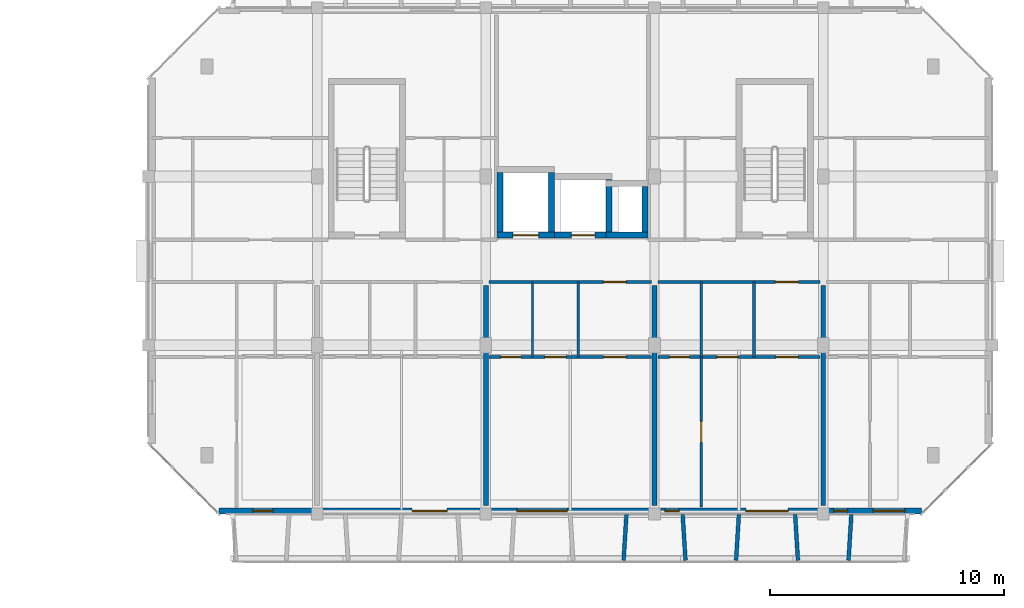
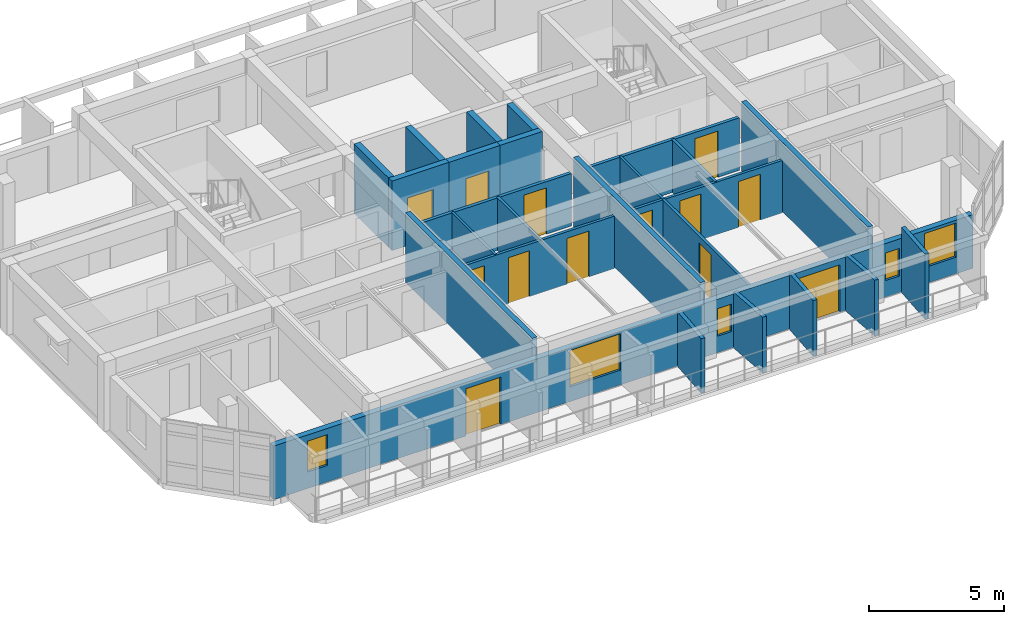
# One storey, part 25 of 46: 25 walls, 13 doors, 5 windows, 18 openings.
"""IFC4 building model written with IfcOpenShell, lengths in metres."""

from ifc_helpers import new_model, si_unit, direction, frame, frame_2d, origin, place, context, subcontext, project, spatial, rectangle, extrude, material, layer, layer_set, type_object, element, fill, save


model = new_model("IFC4")

# Units and contexts
model_context = context("Model", 3, precision=1e-05, world=origin(), true_north=direction((0.0, 1.0)))
body_context = subcontext(model_context, "Body", "Model", "MODEL_VIEW")
ifc_project = project(units=[si_unit("LENGTHUNIT", "METRE"), si_unit("AREAUNIT", "SQUARE_METRE"), si_unit("VOLUMEUNIT", "CUBIC_METRE"), si_unit("PLANEANGLEUNIT", "RADIAN"), si_unit("MASSUNIT", "GRAM", prefix="KILO")], contexts=[model_context])

# Site, building, storey
site_placement = place(None, origin())
site = spatial("IfcSite", under=ifc_project, at=site_placement, CompositionType="ELEMENT")
building_placement = place(site_placement, origin())
building = spatial("IfcBuilding", under=site, at=building_placement, Name="Ochrevale Crest", CompositionType="ELEMENT")
storey_placement = place(building_placement, frame((0.0, 0.0, 24.449951171875)))
storey = spatial("IfcBuildingStorey", under=building, at=storey_placement, Name="L07", CompositionType="ELEMENT", Elevation=24.449951171875)

# Wall, opening, door
ifc_material_1 = material(Name="Gypsum plasterboard", Category="gypsum")
ifc_layer_1 = layer(ifc_material_1, 0.139892578125)
ifc_layer_set_1 = layer_set([ifc_layer_1], Name="Gypsum plasterboard")
wall_type_1 = type_object("IfcWallType", Name="WL-COR-140", PredefinedType="PARTITIONING", material=ifc_layer_set_1)
wall_1_placement = place(storey_placement, frame((144.139892578125, 24.300048828125, 0.0), z_axis=(0.0, 0.0, 1.0), x_axis=(1.0, 0.0, 0.0)))
wall_1 = element("IfcWall", 1, at=wall_1_placement, inside=storey, type_object=wall_type_1, Name="Apartment C-L07-U3 corridor wall", PredefinedType="PARTITIONING", context=body_context, shape_type="SweptSolid", body=[
    extrude(rectangle(XDim=6.920166015625, YDim=0.139892578125, at=frame_2d((3.4599609375, 0.0))), origin(), (0.0, 0.0, 1.0), 2.380126953125),
])
opening_1_placement = place(wall_1_placement, frame((4.8701171875, 0.0, 0.0)))
opening_1 = element("IfcOpeningElement", 2, at=opening_1_placement, cuts=wall_1, Name="Opening FD01", PredefinedType="OPENING", context=body_context, shape_type="SweptSolid", body=[
    extrude(rectangle(XDim=0.97998046875, YDim=2.10009765625, at=frame_2d((0.489990234375, 1.050048828125))), frame((0.0, 0.080078125, 0.0), z_axis=(0.0, -1.0, 0.0), x_axis=(1.0, 0.0, 0.0)), (0.0, 0.0, 1.0), 0.159912109375),
])
ifc_material_2 = material(Name="Solid-core FSC hardwood", Category="wood")
door_type_1 = type_object("IfcDoorType", Name="DR-APT-950", OperationType="NOTDEFINED", PredefinedType="DOOR", material=ifc_material_2)
door_1_placement = place(opening_1_placement, origin())
door_1 = element("IfcDoor", 3, at=door_1_placement, inside=storey, type_object=door_type_1, Name="Apartment C-L07-U3 entrance door", OperationType="SINGLE_SWING_LEFT", OverallHeight=2.10009765625, OverallWidth=0.97998046875, PredefinedType="DOOR", context=body_context, shape_type="SweptSolid", body=[
    extrude(rectangle(XDim=0.97998046875, YDim=2.10009765625, at=frame_2d((0.489990234375, 1.050048828125))), frame((0.0, 0.02490234375, 0.0), z_axis=(0.0, -1.0, 0.0), x_axis=(1.0, 0.0, 0.0)), (0.0, 0.0, 1.0), 0.050048828125),
])
fill(opening_1, door_1)

wall_2_placement = place(storey_placement, frame((151.340087890625, 24.300048828125, 0.0), z_axis=(0.0, 0.0, 1.0), x_axis=(1.0, 0.0, 0.0)))
wall_2 = element("IfcWall", 4, at=wall_2_placement, inside=storey, type_object=wall_type_1, Name="Apartment C-L07-U4 corridor wall", PredefinedType="PARTITIONING", context=body_context, shape_type="SweptSolid", body=[
    extrude(rectangle(XDim=6.919921875, YDim=0.139892578125, at=frame_2d((3.4599609375, 0.0))), origin(), (0.0, 0.0, 1.0), 2.380126953125),
])
opening_2_placement = place(wall_2_placement, frame((5.02001953125, 0.0, 0.0)))
opening_2 = element("IfcOpeningElement", 5, at=opening_2_placement, cuts=wall_2, Name="Opening FD01", PredefinedType="OPENING", context=body_context, shape_type="SweptSolid", body=[
    extrude(rectangle(XDim=0.97998046875, YDim=2.10009765625, at=frame_2d((0.489990234375, 1.050048828125))), frame((0.0, 0.080078125, 0.0), z_axis=(0.0, -1.0, 0.0), x_axis=(1.0, 0.0, 0.0)), (0.0, 0.0, 1.0), 0.159912109375),
])
door_2_placement = place(opening_2_placement, origin())
door_2 = element("IfcDoor", 6, at=door_2_placement, inside=storey, type_object=door_type_1, Name="Apartment C-L07-U4 entrance door", OperationType="SINGLE_SWING_LEFT", OverallHeight=2.10009765625, OverallWidth=0.97998046875, PredefinedType="DOOR", context=body_context, shape_type="SweptSolid", body=[
    extrude(rectangle(XDim=0.97998046875, YDim=2.10009765625, at=frame_2d((0.489990234375, 1.050048828125))), frame((0.0, 0.02490234375, 0.0), z_axis=(0.0, -1.0, 0.0), x_axis=(1.0, 0.0, 0.0)), (0.0, 0.0, 1.0), 0.050048828125),
])
fill(opening_2, door_2)

ifc_material_3 = material(Name="Precast concrete C50/60", Category="concrete")
ifc_layer_2 = layer(ifc_material_3, 0.2548828125)
ifc_layer_set_2 = layer_set([ifc_layer_2], Name="Precast concrete C50/60")
wall_type_2 = type_object("IfcWallType", Name="WL-CORE-255", PredefinedType="SHEAR", material=ifc_layer_set_2)
wall_3_placement = place(storey_placement, frame((144.472412109375, 26.300048828125, 0.0), z_axis=(0.0, 0.0, 1.0), x_axis=(1.0, 0.0, 0.0)))
wall_3 = element("IfcWall", 7, at=wall_3_placement, inside=storey, type_object=wall_type_2, Name="Block C L07 Lift 1 precast shaft shear wall S", PredefinedType="SHEAR", context=body_context, shape_type="SweptSolid", body=[
    extrude(rectangle(XDim=2.455078125, YDim=0.2548828125, at=frame_2d((1.2275390625, 0.0))), origin(), (0.0, 0.0, 1.0), 3.150146484375),
])
opening_3_placement = place(wall_3_placement, frame((0.677490234375, 0.0, 0.0)))
opening_3 = element("IfcOpeningElement", 8, at=opening_3_placement, cuts=wall_3, Name="Opening LD01", PredefinedType="OPENING", context=body_context, shape_type="SweptSolid", body=[
    extrude(rectangle(XDim=1.10009765625, YDim=2.14990234375, at=frame_2d((0.550048828125, 1.074951171875))), frame((0.0, 0.137451171875, 0.0), z_axis=(0.0, -1.0, 0.0), x_axis=(1.0, 0.0, 0.0)), (0.0, 0.0, 1.0), 0.27490234375),
])
door_type_2 = type_object("IfcDoorType", Name="DR-LIFT-1100", OperationType="NOTDEFINED", PredefinedType="DOOR", material=ifc_material_2)
door_3_placement = place(opening_3_placement, origin())
door_3 = element("IfcDoor", 9, at=door_3_placement, inside=storey, type_object=door_type_2, Name="Lift LF-C1 L07 sliding landing door", OperationType="SLIDING_TO_LEFT", OverallHeight=2.14990234375, OverallWidth=1.10009765625, PredefinedType="DOOR", context=body_context, shape_type="SweptSolid", body=[
    extrude(rectangle(XDim=1.10009765625, YDim=2.14990234375, at=frame_2d((0.550048828125, 1.074951171875))), frame((0.0, 0.02490234375, 0.0), z_axis=(0.0, -1.0, 0.0), x_axis=(1.0, 0.0, 0.0)), (0.0, 0.0, 1.0), 0.050048828125),
])
fill(opening_3, door_3)

# Walls
for number, where, z_axis, x_axis, name in (
    (10, (144.60009765625, 26.427490234375, 0.0), (0.0, 0.0, 1.0), (0.0, 1.0, 0.0), "Block C L07 Lift 1 precast shaft shear wall W"),
    (11, (146.800048828125, 26.427490234375, 0.0), (0.0, 0.0, 1.0), (0.0, 1.0, 0.0), "Block C L07 Lift 1 precast shaft shear wall E"),
):
    element("IfcWall", number, at=place(storey_placement, frame(where, z_axis=z_axis, x_axis=x_axis)), inside=storey, type_object=wall_type_2, Name=name, PredefinedType="SHEAR", context=body_context, shape_type="SweptSolid", body=[
        extrude(rectangle(XDim=2.544921875, YDim=0.2548828125, at=frame_2d((1.2724609375, 0.0))), origin(), (0.0, 0.0, 1.0), 3.150146484375),
    ])

# Wall, opening, door
wall_4_placement = place(storey_placement, frame((146.922607421875, 26.300048828125, 0.0), z_axis=(0.0, 0.0, 1.0), x_axis=(1.0, 0.0, 0.0)))
wall_4 = element("IfcWall", 12, at=wall_4_placement, inside=storey, type_object=wall_type_2, Name="Block C L07 Lift 2 precast shaft shear wall S", PredefinedType="SHEAR", context=body_context, shape_type="SweptSolid", body=[
    extrude(rectangle(XDim=2.454833984375, YDim=0.2548828125, at=frame_2d((1.2275390625, 0.0))), origin(), (0.0, 0.0, 1.0), 3.150146484375),
])
opening_4_placement = place(wall_4_placement, frame((0.7275390625, 0.0, 0.0)))
opening_4 = element("IfcOpeningElement", 13, at=opening_4_placement, cuts=wall_4, Name="Opening LD02", PredefinedType="OPENING", context=body_context, shape_type="SweptSolid", body=[
    extrude(rectangle(XDim=1.0, YDim=2.14990234375, at=frame_2d((0.5, 1.074951171875))), frame((0.0, 0.137451171875, 0.0), z_axis=(0.0, -1.0, 0.0), x_axis=(1.0, 0.0, 0.0)), (0.0, 0.0, 1.0), 0.27490234375),
])
door_type_3 = type_object("IfcDoorType", Name="DR-LIFT-1000", OperationType="NOTDEFINED", PredefinedType="DOOR", material=ifc_material_2)
door_4_placement = place(opening_4_placement, origin())
door_4 = element("IfcDoor", 14, at=door_4_placement, inside=storey, type_object=door_type_3, Name="Lift LP-C2 L07 sliding landing door", OperationType="SLIDING_TO_RIGHT", OverallHeight=2.14990234375, OverallWidth=1.0, PredefinedType="DOOR", context=body_context, shape_type="SweptSolid", body=[
    extrude(rectangle(XDim=1.0, YDim=2.14990234375, at=frame_2d((0.5, 1.074951171875))), frame((0.0, 0.02490234375, 0.0), z_axis=(0.0, -1.0, 0.0), x_axis=(1.0, 0.0, 0.0)), (0.0, 0.0, 1.0), 0.050048828125),
])
fill(opening_4, door_4)

# Walls
wall_5_placement = place(storey_placement, frame((149.25, 26.427490234375, 0.0), z_axis=(0.0, 0.0, 1.0), x_axis=(0.0, 1.0, 0.0)))
element("IfcWall", 15, at=wall_5_placement, inside=storey, type_object=wall_type_2, Name="Block C L07 Lift 2 precast shaft shear wall E", PredefinedType="SHEAR", context=body_context, shape_type="SweptSolid", body=[
    extrude(rectangle(XDim=2.2451171875, YDim=0.2548828125, at=frame_2d((1.12255859375, 0.0))), origin(), (0.0, 0.0, 1.0), 3.150146484375),
])
wall_6_placement = place(storey_placement, frame((149.12255859375, 26.300048828125, 0.0), z_axis=(0.0, 0.0, 1.0), x_axis=(1.0, 0.0, 0.0)))
element("IfcWall", 16, at=wall_6_placement, inside=storey, type_object=wall_type_2, Name="Block C L07 services riser shaft core wall S", PredefinedType="SHEAR", context=body_context, shape_type="SweptSolid", body=[
    extrude(rectangle(XDim=1.804931640625, YDim=0.2548828125, at=frame_2d((0.90234375, 0.0))), origin(), (0.0, 0.0, 1.0), 3.150146484375),
])
wall_7_placement = place(storey_placement, frame((150.800048828125, 26.427490234375, 0.0), z_axis=(0.0, 0.0, 1.0), x_axis=(0.0, 1.0, 0.0)))
element("IfcWall", 17, at=wall_7_placement, inside=storey, type_object=wall_type_2, Name="Block C L07 services riser shaft core wall E", PredefinedType="SHEAR", context=body_context, shape_type="SweptSolid", body=[
    extrude(rectangle(XDim=1.945068359375, YDim=0.2548828125, at=frame_2d((0.97265625, 0.0))), origin(), (0.0, 0.0, 1.0), 3.150146484375),
])

# Wall, openings, doors, windows
ifc_material_4 = material(Name="Precast concrete C40/50", Category="concrete")
ifc_layer_3 = layer(ifc_material_4, 0.25)
ifc_layer_set_3 = layer_set([ifc_layer_3], Name="Precast concrete C40/50")
wall_type_3 = type_object("IfcWallType", Name="WL-EXT-GOLD-250", PredefinedType="SOLIDWALL", material=ifc_layer_set_3)
wall_8_placement = place(storey_placement, frame((132.60009765625, 14.52490234375, 0.0), z_axis=(0.0, 0.0, 1.0), x_axis=(1.0, 0.0, 0.0)))
wall_8 = element("IfcWall", 18, at=wall_8_placement, inside=storey, type_object=wall_type_3, Name="Block C L07 external facade wall E1", PredefinedType="SOLIDWALL", context=body_context, shape_type="SweptSolid", body=[
    extrude(rectangle(XDim=30.0, YDim=0.25, at=frame_2d((15.0, 0.0))), origin(), (0.0, 0.0, 1.0), 2.429931640625),
])
opening_5_placement = place(wall_8_placement, frame((9.75, 0.0, 0.0), z_axis=(0.0, 0.0, 1.0), x_axis=(-1.0, 0.0, 0.0)))
opening_5 = element("IfcOpeningElement", 19, at=opening_5_placement, cuts=wall_8, Name="Opening BD01", PredefinedType="OPENING", context=body_context, shape_type="SweptSolid", body=[
    extrude(rectangle(XDim=1.5, YDim=2.14990234375, at=frame_2d((0.75, 1.074951171875))), frame((0.0, 0.135009765625, 0.0), z_axis=(0.0, -1.0, 0.0), x_axis=(1.0, 0.0, 0.0)), (0.0, 0.0, 1.0), 0.27001953125),
])
opening_6_placement = place(wall_8_placement, frame((24.300048828125, 0.0, 0.0), z_axis=(0.0, 0.0, 1.0), x_axis=(-1.0, 0.0, 0.0)))
opening_6 = element("IfcOpeningElement", 20, at=opening_6_placement, cuts=wall_8, Name="Opening BD03", PredefinedType="OPENING", context=body_context, shape_type="SweptSolid", body=[
    extrude(rectangle(XDim=1.800048828125, YDim=2.14990234375, at=frame_2d((0.89990234375, 1.074951171875))), frame((0.0, 0.135009765625, 0.0), z_axis=(0.0, -1.0, 0.0), x_axis=(1.0, 0.0, 0.0)), (0.0, 0.0, 1.0), 0.27001953125),
])
opening_7_placement = place(wall_8_placement, frame((1.4599609375, 0.0, 0.75)))
opening_7 = element("IfcOpeningElement", 21, at=opening_7_placement, cuts=wall_8, Name="Opening W03", PredefinedType="OPENING", context=body_context, shape_type="SweptSolid", body=[
    extrude(rectangle(XDim=0.85009765625, YDim=1.39990234375, at=frame_2d((0.425048828125, 0.699951171875))), frame((0.0, 0.135009765625, 0.0), z_axis=(0.0, -1.0, 0.0), x_axis=(1.0, 0.0, 0.0)), (0.0, 0.0, 1.0), 0.27001953125),
])
opening_8_placement = place(wall_8_placement, frame((12.72509765625, 0.0, 0.669921875)))
opening_8 = element("IfcOpeningElement", 22, at=opening_8_placement, cuts=wall_8, Name="Opening W13", PredefinedType="OPENING", context=body_context, shape_type="SweptSolid", body=[
    extrude(rectangle(XDim=2.14990234375, YDim=1.64990234375, at=frame_2d((1.074951171875, 0.824951171875))), frame((0.0, 0.135009765625, 0.0), z_axis=(0.0, -1.0, 0.0), x_axis=(1.0, 0.0, 0.0)), (0.0, 0.0, 1.0), 0.27001953125),
])
opening_9_placement = place(wall_8_placement, frame((19.044921875, 0.0, 0.75)))
opening_9 = element("IfcOpeningElement", 23, at=opening_9_placement, cuts=wall_8, Name="Opening W01", PredefinedType="OPENING", context=body_context, shape_type="SweptSolid", body=[
    extrude(rectangle(XDim=0.60009765625, YDim=1.25, at=frame_2d((0.300048828125, 0.625))), frame((0.0, 0.135009765625, 0.0), z_axis=(0.0, -1.0, 0.0), x_axis=(1.0, 0.0, 0.0)), (0.0, 0.0, 1.0), 0.27001953125),
])
opening_10_placement = place(wall_8_placement, frame((26.2451171875, 0.0, 0.75)))
opening_10 = element("IfcOpeningElement", 24, at=opening_10_placement, cuts=wall_8, Name="Opening W01", PredefinedType="OPENING", context=body_context, shape_type="SweptSolid", body=[
    extrude(rectangle(XDim=0.60009765625, YDim=1.25, at=frame_2d((0.300048828125, 0.625))), frame((0.0, 0.135009765625, 0.0), z_axis=(0.0, -1.0, 0.0), x_axis=(1.0, 0.0, 0.0)), (0.0, 0.0, 1.0), 0.27001953125),
])
opening_11_placement = place(wall_8_placement, frame((27.929931640625, 0.0, 0.75)))
opening_11 = element("IfcOpeningElement", 25, at=opening_11_placement, cuts=wall_8, Name="Opening W07", PredefinedType="OPENING", context=body_context, shape_type="SweptSolid", body=[
    extrude(rectangle(XDim=1.340087890625, YDim=1.550048828125, at=frame_2d((0.669921875, 0.77490234375))), frame((0.0, 0.135009765625, 0.0), z_axis=(0.0, -1.0, 0.0), x_axis=(1.0, 0.0, 0.0)), (0.0, 0.0, 1.0), 0.27001953125),
])
ifc_material_5 = material(Name="Anodised aluminium 6063-T5 and toughened glass", Category="aluminium")
door_type_4 = type_object("IfcDoorType", Name="DR-BAL-1500", OperationType="NOTDEFINED", PredefinedType="DOOR", material=ifc_material_5)
door_5_placement = place(opening_5_placement, origin())
door_5 = element("IfcDoor", 26, at=door_5_placement, inside=storey, type_object=door_type_4, Name="Block C L07 balcony door S2", OperationType="SINGLE_SWING_RIGHT", OverallHeight=2.14990234375, OverallWidth=1.5, PredefinedType="DOOR", context=body_context, shape_type="SweptSolid", body=[
    extrude(rectangle(XDim=1.5, YDim=2.14990234375, at=frame_2d((0.75, 1.074951171875))), frame((0.0, 0.02490234375, 0.0), z_axis=(0.0, -1.0, 0.0), x_axis=(1.0, 0.0, 0.0)), (0.0, 0.0, 1.0), 0.050048828125),
])
fill(opening_5, door_5)
door_type_5 = type_object("IfcDoorType", Name="DR-BAL-1800", OperationType="NOTDEFINED", PredefinedType="DOOR", material=ifc_material_5)
door_6_placement = place(opening_6_placement, origin())
door_6 = element("IfcDoor", 27, at=door_6_placement, inside=storey, type_object=door_type_5, Name="Block C L07 balcony door S4", OperationType="SINGLE_SWING_LEFT", OverallHeight=2.14990234375, OverallWidth=1.800048828125, PredefinedType="DOOR", context=body_context, shape_type="SweptSolid", body=[
    extrude(rectangle(XDim=1.800048828125, YDim=2.14990234375, at=frame_2d((0.89990234375, 1.074951171875))), frame((0.0, 0.02490234375, 0.0), z_axis=(0.0, -1.0, 0.0), x_axis=(1.0, 0.0, 0.0)), (0.0, 0.0, 1.0), 0.050048828125),
])
fill(opening_6, door_6)
ifc_material_6 = material(Name="Anodised aluminium 6063-T5 and low-E double glazing", Category="aluminium")
window_type_1 = type_object("IfcWindowType", Name="WIN-W01", PartitioningType="SINGLE_PANEL", PredefinedType="WINDOW", material=ifc_material_6)
window_1_placement = place(opening_9_placement, origin())
window_1 = element("IfcWindow", 28, at=window_1_placement, inside=storey, type_object=window_type_1, Name="Block C L07 Apartment C-L07-U4 Double Bedroom window", OverallHeight=1.25, OverallWidth=0.60009765625, PartitioningType="SINGLE_PANEL", PredefinedType="WINDOW", context=body_context, shape_type="SweptSolid", body=[
    extrude(rectangle(XDim=0.60009765625, YDim=1.25, at=frame_2d((0.300048828125, 0.625))), frame((0.0, 0.030029296875, 0.0), z_axis=(0.0, -1.0, 0.0), x_axis=(1.0, 0.0, 0.0)), (0.0, 0.0, 1.0), 0.06005859375),
])
fill(opening_9, window_1)
window_2_placement = place(opening_10_placement, origin())
window_2 = element("IfcWindow", 29, at=window_2_placement, inside=storey, type_object=window_type_1, Name="Block C L07 Apartment C-L07-U5 Master Bedroom window", OverallHeight=1.25, OverallWidth=0.60009765625, PartitioningType="SINGLE_PANEL", PredefinedType="WINDOW", context=body_context, shape_type="SweptSolid", body=[
    extrude(rectangle(XDim=0.60009765625, YDim=1.25, at=frame_2d((0.300048828125, 0.625))), frame((0.0, 0.030029296875, 0.0), z_axis=(0.0, -1.0, 0.0), x_axis=(1.0, 0.0, 0.0)), (0.0, 0.0, 1.0), 0.06005859375),
])
fill(opening_10, window_2)
window_type_2 = type_object("IfcWindowType", Name="WIN-W03", PartitioningType="SINGLE_PANEL", PredefinedType="WINDOW", material=ifc_material_6)
window_3_placement = place(opening_7_placement, origin())
window_3 = element("IfcWindow", 30, at=window_3_placement, inside=storey, type_object=window_type_2, Name="Block C L07 Apartment C-L07-U1 One Bedroom Living Room window", OverallHeight=1.39990234375, OverallWidth=0.85009765625, PartitioningType="SINGLE_PANEL", PredefinedType="WINDOW", context=body_context, shape_type="SweptSolid", body=[
    extrude(rectangle(XDim=0.85009765625, YDim=1.39990234375, at=frame_2d((0.425048828125, 0.699951171875))), frame((0.0, 0.030029296875, 0.0), z_axis=(0.0, -1.0, 0.0), x_axis=(1.0, 0.0, 0.0)), (0.0, 0.0, 1.0), 0.06005859375),
])
fill(opening_7, window_3)
window_type_3 = type_object("IfcWindowType", Name="WIN-W07", PartitioningType="SINGLE_PANEL", PredefinedType="WINDOW", material=ifc_material_6)
window_4_placement = place(opening_11_placement, origin())
window_4 = element("IfcWindow", 31, at=window_4_placement, inside=storey, type_object=window_type_3, Name="Block C L07 Apartment C-L07-U5 One Bedroom Living Room window", OverallHeight=1.550048828125, OverallWidth=1.340087890625, PartitioningType="SINGLE_PANEL", PredefinedType="WINDOW", context=body_context, shape_type="SweptSolid", body=[
    extrude(rectangle(XDim=1.340087890625, YDim=1.550048828125, at=frame_2d((0.669921875, 0.77490234375))), frame((0.0, 0.030029296875, 0.0), z_axis=(0.0, -1.0, 0.0), x_axis=(1.0, 0.0, 0.0)), (0.0, 0.0, 1.0), 0.06005859375),
])
fill(opening_11, window_4)
window_type_4 = type_object("IfcWindowType", Name="WIN-W13", PartitioningType="SINGLE_PANEL", PredefinedType="WINDOW", material=ifc_material_6)
window_5_placement = place(opening_8_placement, origin())
window_5 = element("IfcWindow", 32, at=window_5_placement, inside=storey, type_object=window_type_4, Name="Block C L07 Studio C-L07-U3 Living Room window", OverallHeight=1.64990234375, OverallWidth=2.14990234375, PartitioningType="SINGLE_PANEL", PredefinedType="WINDOW", context=body_context, shape_type="SweptSolid", body=[
    extrude(rectangle(XDim=2.14990234375, YDim=1.64990234375, at=frame_2d((1.074951171875, 0.824951171875))), frame((0.0, 0.030029296875, 0.0), z_axis=(0.0, -1.0, 0.0), x_axis=(1.0, 0.0, 0.0)), (0.0, 0.0, 1.0), 0.06005859375),
])
fill(opening_8, window_5)

# Walls
ifc_layer_4 = layer(ifc_material_4, 0.1650390625)
ifc_layer_set_4 = layer_set([ifc_layer_4], Name="Precast concrete C40/50")
wall_type_4 = type_object("IfcWallType", Name="WL-HC-CHEEK-165", PredefinedType="ELEMENTEDWALL", material=ifc_layer_set_4)
wall_9_placement = place(storey_placement, frame((150.0, 14.3798828125, 0.0), z_axis=(0.0, 0.0, 1.0), x_axis=(-0.061170732449, -0.998127317276, 0.0)))
element("IfcWall", 33, at=wall_9_placement, inside=storey, type_object=wall_type_4, Name="Block C L07 S precast honeycomb cheek 8", PredefinedType="ELEMENTEDWALL", context=body_context, shape_type="SweptSolid", body=[
    extrude(rectangle(XDim=1.963623046875, YDim=0.1650390625, at=frame_2d((0.98193359375, 0.0))), origin(), (0.0, 0.0, 1.0), 2.47998046875),
])
for number, where, z_axis, x_axis, name in (
    (34, (152.39990234375, 14.3798828125, 0.0), (0.0, 0.0, 1.0), (0.061170732449, -0.998127317276, 0.0), "Block C L07 S precast honeycomb cheek 9"),
    (35, (154.800048828125, 14.3798828125, 0.0), (0.0, 0.0, 1.0), (-0.061170732449, -0.998127317276, 0.0), "Block C L07 S precast honeycomb cheek 10"),
    (36, (157.199951171875, 14.3798828125, 0.0), (0.0, 0.0, 1.0), (0.061170732449, -0.998127317276, 0.0), "Block C L07 S precast honeycomb cheek 11"),
):
    element("IfcWall", number, at=place(storey_placement, frame(where, z_axis=z_axis, x_axis=x_axis)), inside=storey, type_object=wall_type_4, Name=name, PredefinedType="ELEMENTEDWALL", context=body_context, shape_type="SweptSolid", body=[
        extrude(rectangle(XDim=1.963623046875, YDim=0.1650390625, at=frame_2d((0.98193359375, 0.0))), origin(), (0.0, 0.0, 1.0), 2.530029296875),
    ])
wall_10_placement = place(storey_placement, frame((159.60009765625, 14.3798828125, 0.0), z_axis=(0.0, 0.0, 1.0), x_axis=(-0.061170732449, -0.998127317276, 0.0)))
element("IfcWall", 37, at=wall_10_placement, inside=storey, type_object=wall_type_4, Name="Block C L07 S precast honeycomb cheek 12", PredefinedType="ELEMENTEDWALL", context=body_context, shape_type="SweptSolid", body=[
    extrude(rectangle(XDim=1.963623046875, YDim=0.1650390625, at=frame_2d((0.98193359375, 0.0))), origin(), (0.0, 0.0, 1.0), 2.949951171875),
])
ifc_layer_5 = layer(ifc_material_1, 0.1201171875)
ifc_layer_set_5 = layer_set([ifc_layer_5], Name="Gypsum plasterboard")
wall_type_5 = type_object("IfcWallType", Name="WL-PART-120", PredefinedType="PARTITIONING", material=ifc_layer_set_5)
wall_11_placement = place(storey_placement, frame((147.93994140625, 21.10009765625, 0.0), z_axis=(0.0, 0.0, 1.0), x_axis=(0.0, 1.0, 0.0)))
element("IfcWall", 38, at=wall_11_placement, inside=storey, type_object=wall_type_5, Name="Apartment C-L07-U3 kitchen-foyer wall", PredefinedType="PARTITIONING", context=body_context, shape_type="SweptSolid", body=[
    extrude(rectangle(XDim=3.199951171875, YDim=0.1201171875, at=frame_2d((1.60009765625, 0.0))), origin(), (0.0, 0.0, 1.0), 2.380126953125),
])

# Wall, openings, doors
wall_12_placement = place(storey_placement, frame((144.139892578125, 21.10009765625, 0.0), z_axis=(0.0, 0.0, 1.0), x_axis=(1.0, 0.0, 0.0)))
wall_12 = element("IfcWall", 39, at=wall_12_placement, inside=storey, type_object=wall_type_5, Name="Apartment C-L07-U3 central partition", PredefinedType="PARTITIONING", context=body_context, shape_type="SweptSolid", body=[
    extrude(rectangle(XDim=6.920166015625, YDim=0.1201171875, at=frame_2d((3.4599609375, 0.0))), origin(), (0.0, 0.0, 1.0), 2.380126953125),
])
opening_12_placement = place(wall_12_placement, frame((1.35009765625, 0.0, 0.0), z_axis=(0.0, 0.0, 1.0), x_axis=(-1.0, 0.0, 0.0)))
opening_12 = element("IfcOpeningElement", 40, at=opening_12_placement, cuts=wall_12, Name="Opening ID01", PredefinedType="OPENING", context=body_context, shape_type="SweptSolid", body=[
    extrude(rectangle(XDim=0.85009765625, YDim=2.080078125, at=frame_2d((0.425048828125, 1.0400390625))), frame((0.0, 0.070068359375, 0.0), z_axis=(0.0, -1.0, 0.0), x_axis=(1.0, 0.0, 0.0)), (0.0, 0.0, 1.0), 0.14013671875),
])
opening_13_placement = place(wall_12_placement, frame((2.375, 0.0, 0.0)))
opening_13 = element("IfcOpeningElement", 41, at=opening_13_placement, cuts=wall_12, Name="Opening ID02", PredefinedType="OPENING", context=body_context, shape_type="SweptSolid", body=[
    extrude(rectangle(XDim=0.89990234375, YDim=2.080078125, at=frame_2d((0.449951171875, 1.0400390625))), frame((0.0, 0.070068359375, 0.0), z_axis=(0.0, -1.0, 0.0), x_axis=(1.0, 0.0, 0.0)), (0.0, 0.0, 1.0), 0.14013671875),
])
opening_14_placement = place(wall_12_placement, frame((5.8349609375, 0.0, 0.0), z_axis=(0.0, 0.0, 1.0), x_axis=(-1.0, 0.0, 0.0)))
opening_14 = element("IfcOpeningElement", 42, at=opening_14_placement, cuts=wall_12, Name="Opening ID06", PredefinedType="OPENING", context=body_context, shape_type="SweptSolid", body=[
    extrude(rectangle(XDim=0.949951171875, YDim=2.080078125, at=frame_2d((0.47509765625, 1.0400390625))), frame((0.0, 0.070068359375, 0.0), z_axis=(0.0, -1.0, 0.0), x_axis=(1.0, 0.0, 0.0)), (0.0, 0.0, 1.0), 0.14013671875),
])
door_type_6 = type_object("IfcDoorType", Name="DR-INT-900", OperationType="NOTDEFINED", PredefinedType="DOOR", material=ifc_material_2)
door_7_placement = place(opening_13_placement, origin())
door_7 = element("IfcDoor", 43, at=door_7_placement, inside=storey, type_object=door_type_6, Name="Apartment C-L07-U3 Kitchen door", OperationType="SINGLE_SWING_LEFT", OverallHeight=2.080078125, OverallWidth=0.89990234375, PredefinedType="DOOR", context=body_context, shape_type="SweptSolid", body=[
    extrude(rectangle(XDim=0.89990234375, YDim=2.080078125, at=frame_2d((0.449951171875, 1.0400390625))), frame((0.0, 0.02490234375, 0.0), z_axis=(0.0, -1.0, 0.0), x_axis=(1.0, 0.0, 0.0)), (0.0, 0.0, 1.0), 0.050048828125),
])
fill(opening_13, door_7)
door_type_7 = type_object("IfcDoorType", Name="DR-INT-950", OperationType="NOTDEFINED", PredefinedType="DOOR", material=ifc_material_2)
door_8_placement = place(opening_14_placement, origin())
door_8 = element("IfcDoor", 44, at=door_8_placement, inside=storey, type_object=door_type_7, Name="Apartment C-L07-U3 Living Foyer door", OperationType="SINGLE_SWING_RIGHT", OverallHeight=2.080078125, OverallWidth=0.949951171875, PredefinedType="DOOR", context=body_context, shape_type="SweptSolid", body=[
    extrude(rectangle(XDim=0.949951171875, YDim=2.080078125, at=frame_2d((0.47509765625, 1.0400390625))), frame((0.0, 0.02490234375, 0.0), z_axis=(0.0, -1.0, 0.0), x_axis=(1.0, 0.0, 0.0)), (0.0, 0.0, 1.0), 0.050048828125),
])
fill(opening_14, door_8)
door_type_8 = type_object("IfcDoorType", Name="DR-WC-850", OperationType="NOTDEFINED", PredefinedType="DOOR", material=ifc_material_2)
door_9_placement = place(opening_12_placement, origin())
door_9 = element("IfcDoor", 45, at=door_9_placement, inside=storey, type_object=door_type_8, Name="Apartment C-L07-U3 Bathroom door", OperationType="SINGLE_SWING_RIGHT", OverallHeight=2.080078125, OverallWidth=0.85009765625, PredefinedType="DOOR", context=body_context, shape_type="SweptSolid", body=[
    extrude(rectangle(XDim=0.85009765625, YDim=2.080078125, at=frame_2d((0.425048828125, 1.0400390625))), frame((0.0, 0.02490234375, 0.0), z_axis=(0.0, -1.0, 0.0), x_axis=(1.0, 0.0, 0.0)), (0.0, 0.0, 1.0), 0.050048828125),
])
fill(opening_12, door_9)

# Wall
wall_13_placement = place(storey_placement, frame((155.43994140625, 21.10009765625, 0.0), z_axis=(0.0, 0.0, 1.0), x_axis=(0.0, 1.0, 0.0)))
element("IfcWall", 46, at=wall_13_placement, inside=storey, type_object=wall_type_5, Name="Apartment C-L07-U4 kitchen-foyer wall", PredefinedType="PARTITIONING", context=body_context, shape_type="SweptSolid", body=[
    extrude(rectangle(XDim=3.199951171875, YDim=0.1201171875, at=frame_2d((1.60009765625, 0.0))), origin(), (0.0, 0.0, 1.0), 2.380126953125),
])

# Wall, openings, doors
wall_14_placement = place(storey_placement, frame((151.340087890625, 21.10009765625, 0.0), z_axis=(0.0, 0.0, 1.0), x_axis=(1.0, 0.0, 0.0)))
wall_14 = element("IfcWall", 47, at=wall_14_placement, inside=storey, type_object=wall_type_5, Name="Apartment C-L07-U4 central partition", PredefinedType="PARTITIONING", context=body_context, shape_type="SweptSolid", body=[
    extrude(rectangle(XDim=6.919921875, YDim=0.1201171875, at=frame_2d((3.4599609375, 0.0))), origin(), (0.0, 0.0, 1.0), 2.380126953125),
])
opening_15_placement = place(wall_14_placement, frame((1.35009765625, 0.0, 0.0), z_axis=(0.0, 0.0, 1.0), x_axis=(-1.0, 0.0, 0.0)))
opening_15 = element("IfcOpeningElement", 48, at=opening_15_placement, cuts=wall_14, Name="Opening ID01", PredefinedType="OPENING", context=body_context, shape_type="SweptSolid", body=[
    extrude(rectangle(XDim=0.85009765625, YDim=2.080078125, at=frame_2d((0.425048828125, 1.0400390625))), frame((0.0, 0.070068359375, 0.0), z_axis=(0.0, -1.0, 0.0), x_axis=(1.0, 0.0, 0.0)), (0.0, 0.0, 1.0), 0.14013671875),
])
opening_16_placement = place(wall_14_placement, frame((2.52490234375, 0.0, 0.0)))
opening_16 = element("IfcOpeningElement", 49, at=opening_16_placement, cuts=wall_14, Name="Opening ID02", PredefinedType="OPENING", context=body_context, shape_type="SweptSolid", body=[
    extrude(rectangle(XDim=0.89990234375, YDim=2.080078125, at=frame_2d((0.449951171875, 1.0400390625))), frame((0.0, 0.070068359375, 0.0), z_axis=(0.0, -1.0, 0.0), x_axis=(1.0, 0.0, 0.0)), (0.0, 0.0, 1.0), 0.14013671875),
])
opening_17_placement = place(wall_14_placement, frame((5.98486328125, 0.0, 0.0), z_axis=(0.0, 0.0, 1.0), x_axis=(-1.0, 0.0, 0.0)))
opening_17 = element("IfcOpeningElement", 50, at=opening_17_placement, cuts=wall_14, Name="Opening ID06", PredefinedType="OPENING", context=body_context, shape_type="SweptSolid", body=[
    extrude(rectangle(XDim=0.949951171875, YDim=2.080078125, at=frame_2d((0.47509765625, 1.0400390625))), frame((0.0, 0.070068359375, 0.0), z_axis=(0.0, -1.0, 0.0), x_axis=(1.0, 0.0, 0.0)), (0.0, 0.0, 1.0), 0.14013671875),
])
door_10_placement = place(opening_16_placement, origin())
door_10 = element("IfcDoor", 51, at=door_10_placement, inside=storey, type_object=door_type_6, Name="Apartment C-L07-U4 Kitchen door", OperationType="SINGLE_SWING_LEFT", OverallHeight=2.080078125, OverallWidth=0.89990234375, PredefinedType="DOOR", context=body_context, shape_type="SweptSolid", body=[
    extrude(rectangle(XDim=0.89990234375, YDim=2.080078125, at=frame_2d((0.449951171875, 1.0400390625))), frame((0.0, 0.02490234375, 0.0), z_axis=(0.0, -1.0, 0.0), x_axis=(1.0, 0.0, 0.0)), (0.0, 0.0, 1.0), 0.050048828125),
])
fill(opening_16, door_10)
door_11_placement = place(opening_17_placement, origin())
door_11 = element("IfcDoor", 52, at=door_11_placement, inside=storey, type_object=door_type_7, Name="Apartment C-L07-U4 Living Foyer door", OperationType="SINGLE_SWING_RIGHT", OverallHeight=2.080078125, OverallWidth=0.949951171875, PredefinedType="DOOR", context=body_context, shape_type="SweptSolid", body=[
    extrude(rectangle(XDim=0.949951171875, YDim=2.080078125, at=frame_2d((0.47509765625, 1.0400390625))), frame((0.0, 0.02490234375, 0.0), z_axis=(0.0, -1.0, 0.0), x_axis=(1.0, 0.0, 0.0)), (0.0, 0.0, 1.0), 0.050048828125),
])
fill(opening_17, door_11)
door_12_placement = place(opening_15_placement, origin())
door_12 = element("IfcDoor", 53, at=door_12_placement, inside=storey, type_object=door_type_8, Name="Apartment C-L07-U4 Bathroom door", OperationType="SINGLE_SWING_RIGHT", OverallHeight=2.080078125, OverallWidth=0.85009765625, PredefinedType="DOOR", context=body_context, shape_type="SweptSolid", body=[
    extrude(rectangle(XDim=0.85009765625, YDim=2.080078125, at=frame_2d((0.425048828125, 1.0400390625))), frame((0.0, 0.02490234375, 0.0), z_axis=(0.0, -1.0, 0.0), x_axis=(1.0, 0.0, 0.0)), (0.0, 0.0, 1.0), 0.050048828125),
])
fill(opening_15, door_12)

# Wall, opening, door
wall_15_placement = place(storey_placement, frame((153.18994140625, 14.699951171875, 0.0), z_axis=(0.0, 0.0, 1.0), x_axis=(0.0, 1.0, 0.0)))
wall_15 = element("IfcWall", 54, at=wall_15_placement, inside=storey, type_object=wall_type_5, Name="Apartment C-L07-U4 bedroom partition", PredefinedType="PARTITIONING", context=body_context, shape_type="SweptSolid", body=[
    extrude(rectangle(XDim=6.400146484375, YDim=0.1201171875, at=frame_2d((3.2001953125, 0.0))), origin(), (0.0, 0.0, 1.0), 2.380126953125),
])
opening_18_placement = place(wall_15_placement, frame((2.75, 0.0, 0.0)))
opening_18 = element("IfcOpeningElement", 55, at=opening_18_placement, cuts=wall_15, Name="Opening ID02", PredefinedType="OPENING", context=body_context, shape_type="SweptSolid", body=[
    extrude(rectangle(XDim=0.89990234375, YDim=2.080078125, at=frame_2d((0.449951171875, 1.0400390625))), frame((0.0, 0.070068359375, 0.0), z_axis=(0.0, -1.0, 0.0), x_axis=(1.0, 0.0, 0.0)), (0.0, 0.0, 1.0), 0.14013671875),
])
door_13_placement = place(opening_18_placement, origin())
door_13 = element("IfcDoor", 56, at=door_13_placement, inside=storey, type_object=door_type_6, Name="Apartment C-L07-U4 Double Bedroom door", OperationType="SINGLE_SWING_LEFT", OverallHeight=2.080078125, OverallWidth=0.89990234375, PredefinedType="DOOR", context=body_context, shape_type="SweptSolid", body=[
    extrude(rectangle(XDim=0.89990234375, YDim=2.080078125, at=frame_2d((0.449951171875, 1.0400390625))), frame((0.0, 0.02490234375, 0.0), z_axis=(0.0, -1.0, 0.0), x_axis=(1.0, 0.0, 0.0)), (0.0, 0.0, 1.0), 0.050048828125),
])
fill(opening_18, door_13)

# Walls
ifc_layer_6 = layer(ifc_material_4, 0.2099609375)
ifc_layer_set_6 = layer_set([ifc_layer_6], Name="Precast concrete C40/50")
wall_type_6 = type_object("IfcWallType", Name="WL-SHEAR-210", PredefinedType="SHEAR", material=ifc_layer_set_6)
for number, where, z_axis, x_axis, name in (
    (57, (144.0, 14.75, 0.0), (0.0, 0.0, 1.0), (0.0, 1.0, 0.0), "Block C L07 load-bearing precast cross-wall X=144.0"),
    (58, (151.199951171875, 14.75, 0.0), (0.0, 0.0, 1.0), (0.0, 1.0, 0.0), "Block C L07 load-bearing precast cross-wall X=151.2"),
    (59, (158.39990234375, 14.75, 0.0), (0.0, 0.0, 1.0), (0.0, 1.0, 0.0), "Block C L07 load-bearing precast cross-wall X=158.4"),
):
    element("IfcWall", number, at=place(storey_placement, frame(where, z_axis=z_axis, x_axis=x_axis)), inside=storey, type_object=wall_type_6, Name=name, PredefinedType="SHEAR", context=body_context, shape_type="SweptSolid", body=[
        extrude(rectangle(XDim=9.39990234375, YDim=0.2099609375, at=frame_2d((4.699951171875, 0.0))), origin(), (0.0, 0.0, 1.0), 3.150146484375),
    ])
ifc_layer_7 = layer(ifc_material_1, 0.10009765625)
ifc_layer_set_7 = layer_set([ifc_layer_7], Name="Gypsum plasterboard")
wall_type_7 = type_object("IfcWallType", Name="WL-WET-100", PredefinedType="PARTITIONING", material=ifc_layer_set_7)
for number, where, z_axis, x_axis, name in (
    (60, (145.989990234375, 21.10009765625, 0.0), (0.0, 0.0, 1.0), (0.0, 1.0, 0.0), "Apartment C-L07-U3 bath-kitchen wall"),
    (61, (153.18994140625, 21.10009765625, 0.0), (0.0, 0.0, 1.0), (0.0, 1.0, 0.0), "Apartment C-L07-U4 bath-kitchen wall"),
):
    element("IfcWall", number, at=place(storey_placement, frame(where, z_axis=z_axis, x_axis=x_axis)), inside=storey, type_object=wall_type_7, Name=name, PredefinedType="PARTITIONING", context=body_context, shape_type="SweptSolid", body=[
        extrude(rectangle(XDim=3.199951171875, YDim=0.10009765625, at=frame_2d((1.60009765625, 0.0))), origin(), (0.0, 0.0, 1.0), 2.380126953125),
    ])

save(model, "model.ifc")
